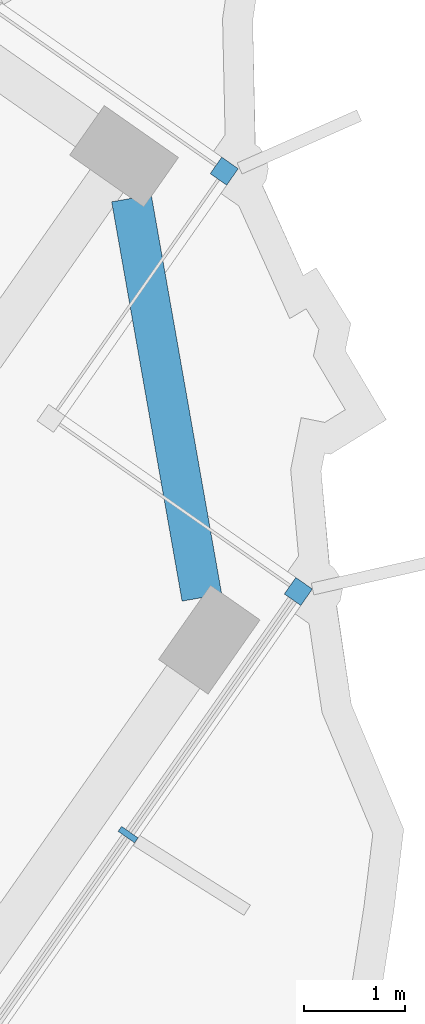
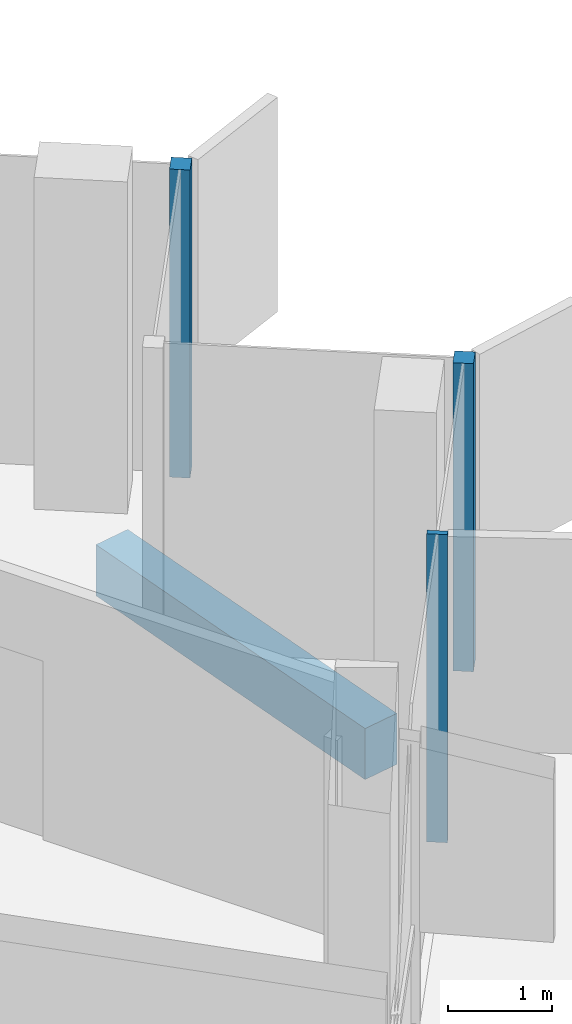
# One storey, part 8 of 19: 3 members, 1 beam, 1 element without a shape of its own.
"""IFC4 building model written with IfcOpenShell, lengths in metres."""

import ifcopenshell
import ifcopenshell.guid

model = None  # the IFC model being written
_history = None  # IfcOwnerHistory: only IFC2X3 demands one
_inside = {}  # id of a spatial element -> (the spatial element, [elements in it])
_under = {}  # id of a project, library or spatial element -> (it, [spatial elements below it])
_declared = {}  # id of a project -> (the project, [libraries it declares])
_typed = {}  # id of a type object -> (the type object, [elements of that type])
_made_of = {}  # id of a material, layer set ... -> (it, [elements and type objects made of it])


def new_model(schema):
    """Start an empty IFC model of exactly this schema.

    Asked for "IFC4X3", IfcOpenShell would pick the latest addendum, in which some entities
    have other attributes; the version numbers below select the first issue.
    IFC2X3 requires an IfcOwnerHistory on every rooted entity: one is made here for all.
    """
    global model, _history
    if schema == "IFC4X3":
        model = ifcopenshell.file(schema_version=(4, 3, 0, 0))
    else:
        model = ifcopenshell.file(schema=schema)
    _inside.clear()
    _under.clear()
    _declared.clear()
    _typed.clear()
    _made_of.clear()
    _history = None
    if model.schema == "IFC2X3":
        org = make("IfcOrganization", Name="unknown")
        user = make(
            "IfcPersonAndOrganization",
            ThePerson=make("IfcPerson", FamilyName="unknown"),
            TheOrganization=org,
        )
        app = make(
            "IfcApplication",
            ApplicationDeveloper=org,
            Version="unknown",
            ApplicationFullName="unknown",
            ApplicationIdentifier="unknown",
        )
        _history = make(
            "IfcOwnerHistory",
            OwningUser=user,
            OwningApplication=app,
            ChangeAction="ADDED",
            CreationDate=0,
        )
    return model


def make(cls, **values):
    """One entity of the class cls with the attributes given. An attribute that is None is left unset."""
    return model.create_entity(
        cls, **{name: value for name, value in values.items() if value is not None}
    )


def rooted(cls, **values):
    """An entity with a GlobalId (a new one), such as an element, a storey or a relation."""
    return make(cls, GlobalId=ifcopenshell.guid.new(), OwnerHistory=_history, **values)


def si_unit(unit_type, name, prefix=None):
    """IfcSIUnit, for example si_unit("LENGTHUNIT", "METRE", prefix="MILLI")."""
    return make("IfcSIUnit", UnitType=unit_type, Prefix=prefix, Name=name)


def assignment(units):
    """IfcUnitAssignment: the units of a project."""
    return None if units is None else make("IfcUnitAssignment", Units=units)


def point(xyz):
    """IfcCartesianPoint."""
    return None if xyz is None else make("IfcCartesianPoint", Coordinates=xyz)


def direction(xyz):
    """IfcDirection."""
    return None if xyz is None else make("IfcDirection", DirectionRatios=xyz)


def frame(location, z_axis=None, x_axis=None):
    """IfcAxis2Placement3D, a coordinate frame: its origin and axes. An axis left out is left unset."""
    return make(
        "IfcAxis2Placement3D",
        Location=point(location),
        Axis=direction(z_axis),
        RefDirection=direction(x_axis),
    )


def frame_2d(location, x_axis=None):
    """IfcAxis2Placement2D, a coordinate frame in the plane: its origin and x axis."""
    return make(
        "IfcAxis2Placement2D", Location=point(location), RefDirection=direction(x_axis)
    )


def origin():
    """The frame at (0, 0, 0) with its axes left unset."""
    return frame((0.0, 0.0, 0.0))


def origin_2d():
    """The frame at (0, 0) in the plane with its x axis left unset."""
    return frame_2d((0.0, 0.0))


def place(relative_to, where):
    """IfcLocalPlacement: puts the frame where relative to a parent placement (None: the world)."""
    return make(
        "IfcLocalPlacement", PlacementRelTo=relative_to, RelativePlacement=where
    )


def context(
    kind, dimensions, precision=None, world=None, true_north=None, identifier=None
):
    """IfcGeometricRepresentationContext, for example the 3D "Model" context."""
    return make(
        "IfcGeometricRepresentationContext",
        ContextIdentifier=identifier,
        ContextType=kind,
        CoordinateSpaceDimension=dimensions,
        Precision=precision,
        WorldCoordinateSystem=world,
        TrueNorth=true_north,
    )


def subcontext(parent, identifier, kind, view, scale=None):
    """IfcGeometricRepresentationSubContext, for example "Body" below "Model"."""
    return make(
        "IfcGeometricRepresentationSubContext",
        ContextIdentifier=identifier,
        ContextType=kind,
        ParentContext=parent,
        TargetScale=scale,
        TargetView=view,
    )


def project(units=None, contexts=None):
    """IfcProject with its units and contexts."""
    return rooted(
        "IfcProject",
        Name="project",
        RepresentationContexts=contexts,
        UnitsInContext=assignment(units),
    )


def spatial(cls, under=None, at=None, **own):
    """A site, building, storey or space (cls), placed at a placement, below another one or the project."""
    s = rooted(cls, ObjectPlacement=at, **own)
    if under is not None:
        _under.setdefault(under.id(), (under, []))[1].append(s)
    return s


def profile(cls, at=None, kind="AREA", **sizes):
    """A parametric profile (cls). Its sizes go by their IFC names, for example OverallWidth=200.0."""
    return make(cls, ProfileType=kind, Position=at, **sizes)


def rectangle(**sizes):
    """IfcRectangleProfileDef."""
    return profile("IfcRectangleProfileDef", **sizes)


def extrude(swept, where, along, depth):
    """IfcExtrudedAreaSolid: the profile swept, set in the frame where, extruded along a direction by depth."""
    return make(
        "IfcExtrudedAreaSolid",
        SweptArea=swept,
        Position=where,
        ExtrudedDirection=direction(along),
        Depth=depth,
    )


def shape(context_of_items, identifier, shape_type, items):
    """IfcShapeRepresentation: the items that make up one representation, for example the "Body"."""
    return make(
        "IfcShapeRepresentation",
        ContextOfItems=context_of_items,
        RepresentationIdentifier=identifier,
        RepresentationType=shape_type,
        Items=items,
    )


def material(Name=None, Category=None):
    """IfcMaterial."""
    return make("IfcMaterial", Name=Name, Category=Category)


def material_profile(
    of_material, cross_section, Name=None, Category=None, Priority=None
):
    """IfcMaterialProfile: a cross section and its material."""
    return make(
        "IfcMaterialProfile",
        Name=Name,
        Material=of_material,
        Profile=cross_section,
        Priority=Priority,
        Category=Category,
    )


def profile_set(profiles, Name=None, composite=None):
    """IfcMaterialProfileSet."""
    return make(
        "IfcMaterialProfileSet",
        Name=Name,
        MaterialProfiles=profiles,
        CompositeProfile=composite,
    )


def made_of(thing, what):
    """Note that an element or type object is made of a material, layer set ...; save() writes the relation."""
    if what is not None:
        _made_of.setdefault(what.id(), (what, []))[1].append(thing)
    return thing


def type_object(cls, material=None, **own):
    """A type object (cls), such as IfcWallType, which elements share."""
    return made_of(rooted(cls, **own), material)


def element(
    cls,
    number,
    at=None,
    inside=None,
    cuts=None,
    type_object=None,
    material=None,
    context=None,
    identifier="Body",
    shape_type=None,
    held_by="IfcProductDefinitionShape",
    body=None,
    shapes=None,
    **own,
):
    """One element of the class cls, such as IfcWall. Its Tag is "e" and its number.

    at: its placement. inside: the storey or other place that contains it. cuts: it is an
    opening in that element (IfcRelVoidsElement). A single representation is given by context,
    identifier, shape_type and body (its items); several are given by shapes. held_by: the class
    of the entity that holds the representations. save() writes the other relations.
    """
    e = rooted(cls, Tag="e%d" % number, ObjectPlacement=at, **own)
    if body is not None:
        shapes = [shape(context, identifier, shape_type, body)]
    if shapes is not None:
        e.Representation = make(held_by, Representations=shapes)
    if inside is not None:
        _inside.setdefault(inside.id(), (inside, []))[1].append(e)
    if cuts is not None:
        rooted(
            "IfcRelVoidsElement", RelatingBuildingElement=cuts, RelatedOpeningElement=e
        )
    if type_object is not None:
        _typed.setdefault(type_object.id(), (type_object, []))[1].append(e)
    return made_of(e, material)


def aggregate(whole, parts):
    """IfcRelAggregates: a whole, such as a stair, and the parts it consists of."""
    return rooted("IfcRelAggregates", RelatingObject=whole, RelatedObjects=parts)


def save(model, path):
    """Write the relations noted so far, then the file.

    IfcRelAggregates (storeys below a building ...), IfcRelContainedInSpatialStructure (elements
    in a storey), IfcRelDefinesByType, IfcRelAssociatesMaterial and IfcRelDeclares: one each for
    every whole, place, type object, material and project.
    """
    for whole, parts in _under.values():
        aggregate(whole, parts)
    for where, things in _inside.values():
        rooted(
            "IfcRelContainedInSpatialStructure",
            RelatedElements=things,
            RelatingStructure=where,
        )
    for kind, things in _typed.values():
        rooted("IfcRelDefinesByType", RelatedObjects=things, RelatingType=kind)
    for what, things in _made_of.values():
        rooted("IfcRelAssociatesMaterial", RelatedObjects=things, RelatingMaterial=what)
    for by, libraries in _declared.values():
        rooted("IfcRelDeclares", RelatingContext=by, RelatedDefinitions=libraries)
    model.write(path)


model = new_model("IFC4")

# Units and contexts
model_context = context("Model", 3, precision=1e-05, world=origin(), true_north=direction((0.0, 1.0)))
body_context = subcontext(model_context, "Body", "Model", "MODEL_VIEW")
ifc_project = project(units=[si_unit("LENGTHUNIT", "METRE"), si_unit("AREAUNIT", "SQUARE_METRE"), si_unit("VOLUMEUNIT", "CUBIC_METRE"), si_unit("PLANEANGLEUNIT", "RADIAN"), si_unit("MASSUNIT", "GRAM", prefix="KILO")], contexts=[model_context])

# Site, building, storey
site_placement = place(None, origin())
site = spatial("IfcSite", under=ifc_project, at=site_placement, CompositionType="ELEMENT")
building_placement = place(site_placement, origin())
building = spatial("IfcBuilding", under=site, at=building_placement, Name="Tel Ilan Convention Tower", CompositionType="ELEMENT")
storey_placement = place(building_placement, frame((0.0, 0.0, 241.0)))
storey = spatial("IfcBuildingStorey", under=building, at=storey_placement, Name="L56", CompositionType="ELEMENT", Elevation=241.0)

# Beam
ifc_material_1 = material(Name="Concrete C40/50", Category="concrete")
ifc_material_profile_1 = material_profile(ifc_material_1, rectangle(XDim=0.39990234375, YDim=0.60009765625, at=origin_2d()), Name="RC 400x600")
ifc_profile_set_1 = profile_set([ifc_material_profile_1], Name="Concrete C40/50")
beam_type = type_object("IfcBeamType", Name="Beam RC 400x600 Concrete C40/50", PredefinedType="BEAM", material=ifc_profile_set_1)
beam_placement = place(storey_placement, frame((31.742919921875, -17.343505859375, -0.580078125), z_axis=(-0.173664388751, 0.984804894423, 0.0), x_axis=(-0.984804894423, -0.173664388751, 0.0)))
element("IfcBeam", 1, at=beam_placement, inside=storey, type_object=beam_type, Name="L56 beam E-E-E3-E-BC", PredefinedType="BEAM", context=body_context, shape_type="SweptSolid", body=[
    extrude(rectangle(XDim=0.39990234375, YDim=0.60009765625, at=origin_2d()), origin(), (0.0, 0.0, 1.0), 4.030517578125),
])

# Curtain wall, members
ifc_material_2 = material(Name="Aluminium, bronze anodised", Category="aluminium")
curtain_wall_type = type_object("IfcCurtainWallType", Name="CW5 STICK CURTAIN WALL, UPPER OFFICE LOW-IRON TINTED GLASS", PredefinedType="NOTDEFINED", material=ifc_material_2)
curtain_wall_placement = place(storey_placement, origin())
curtain_wall = element("IfcCurtainWall", 2, at=curtain_wall_placement, inside=storey, type_object=curtain_wall_type, Name="Curtain wall CW5-43.02", PredefinedType="NOTDEFINED")
ifc_material_3 = material(Name="Aluminium, bronze anodised", Category="aluminium")
ifc_material_profile_2 = material_profile(ifc_material_3, rectangle(XDim=0.199951171875, YDim=0.199951171875, at=origin_2d()), Name="CW CORNER MULLION 200x200")
ifc_profile_set_2 = profile_set([ifc_material_profile_2], Name="Aluminium, bronze anodised")
member_type_1 = type_object("IfcMemberType", Name="CW CORNER MULLION 200x200", PredefinedType="MULLION", material=ifc_profile_set_2)
member_1_placement = place(storey_placement, frame((32.701416015625, -17.2822265625, 0.0), z_axis=(0.0, 0.0, 1.0), x_axis=(0.573576436351, 0.819152044289, 0.0)))
member_1 = element("IfcMember", 3, at=member_1_placement, type_object=member_type_1, Name="Corner mullion", PredefinedType="MULLION", context=body_context, shape_type="SweptSolid", body=[
    extrude(rectangle(XDim=0.199951171875, YDim=0.199951171875, at=origin_2d()), origin(), (0.0, 0.0, 1.0), 3.6201171875),
])
member_2_placement = place(storey_placement, frame((31.964599609375, -13.10400390625, 0.0), z_axis=(0.0, 0.0, 1.0), x_axis=(0.573576436351, 0.819152044289, 0.0)))
member_2 = element("IfcMember", 4, at=member_2_placement, type_object=member_type_1, Name="Corner mullion", PredefinedType="MULLION", context=body_context, shape_type="SweptSolid", body=[
    extrude(rectangle(XDim=0.199951171875, YDim=0.199951171875, at=origin_2d()), origin(), (0.0, 0.0, 1.0), 3.6201171875),
])
ifc_material_4 = material(Name="Aluminium, bronze anodised", Category="aluminium")
ifc_material_profile_3 = material_profile(ifc_material_4, rectangle(XDim=0.06005859375, YDim=0.199951171875, at=origin_2d()), Name="CW MULLION 60x200")
ifc_profile_set_3 = profile_set([ifc_material_profile_3], Name="Aluminium, bronze anodised")
member_type_2 = type_object("IfcMemberType", Name="CW MULLION 60x200", PredefinedType="MULLION", material=ifc_profile_set_3)
member_3_placement = place(storey_placement, frame((31.00927734375, -19.69873046875, 0.0), z_axis=(0.0, 0.0, 1.0), x_axis=(0.573576436351, 0.819152044289, 0.0)))
member_3 = element("IfcMember", 5, at=member_3_placement, type_object=member_type_2, Name="Mullion", PredefinedType="MULLION", context=body_context, shape_type="SweptSolid", body=[
    extrude(rectangle(XDim=0.06005859375, YDim=0.199951171875, at=origin_2d()), origin(), (0.0, 0.0, 1.0), 3.6201171875),
])
aggregate(curtain_wall, [member_3, member_1, member_2])

save(model, "model.ifc")
